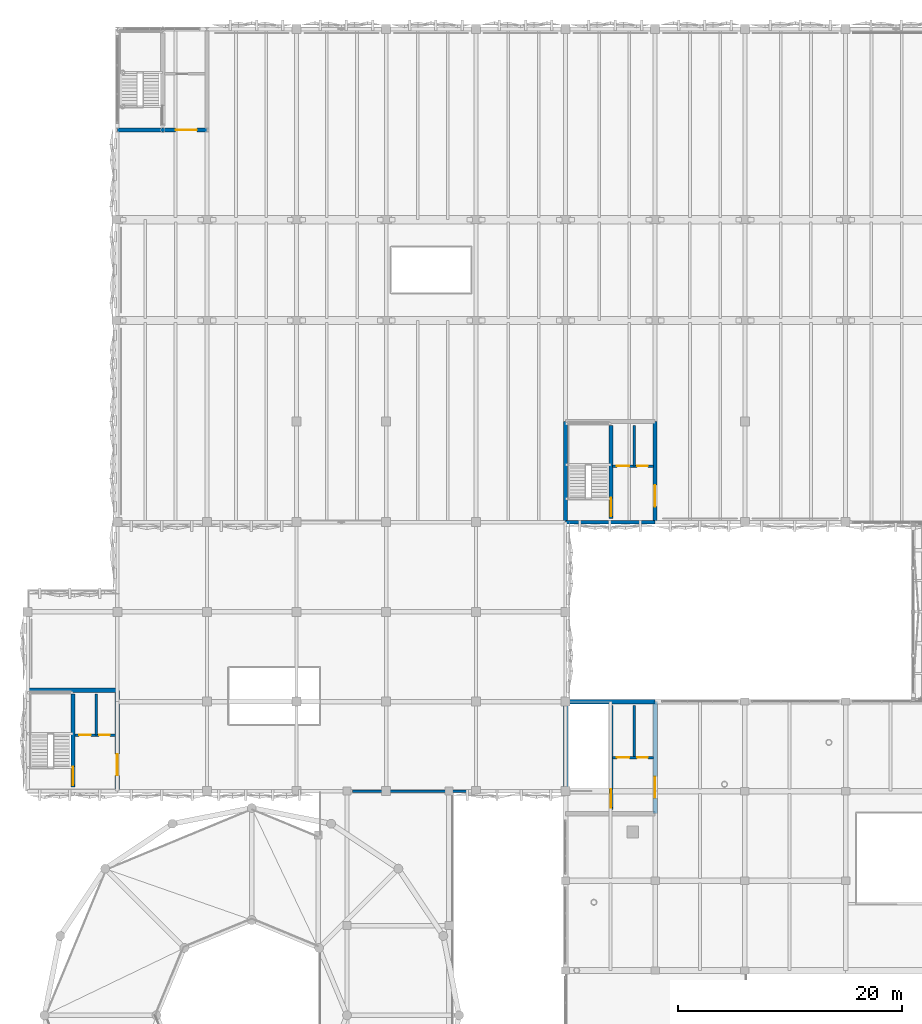
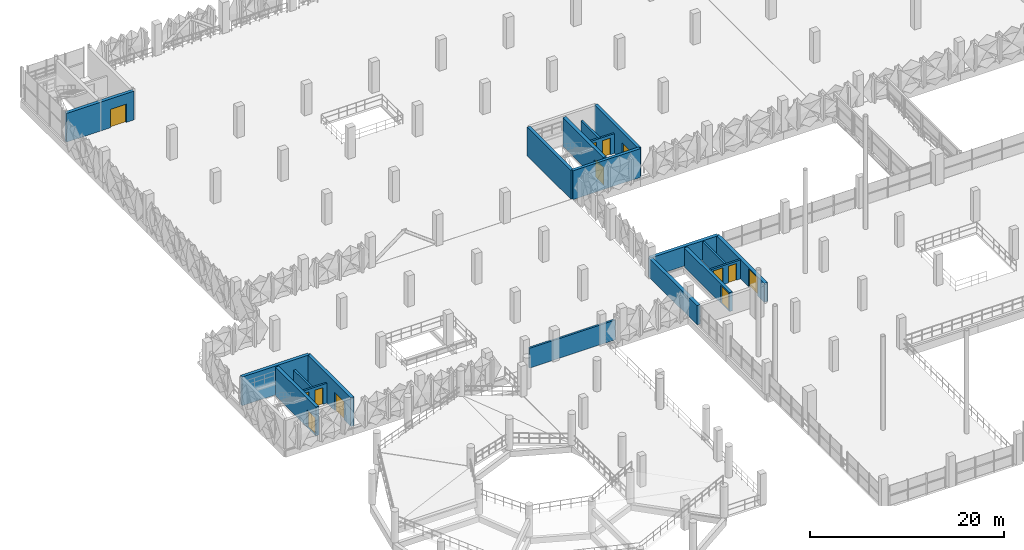
# One storey, part 74 of 123: 19 walls, 13 doors, 13 openings.
"""IFC4 building model written with IfcOpenShell, lengths in metres."""

from ifc_helpers import new_model, si_unit, derived_unit, direction, frame, frame_2d, origin, place, context, subcontext, project, spatial, rectangle, extrude, material, layer, layer_set, type_object, element, fill, save


model = new_model("IFC4")

# Units and contexts
model_context = context("Model", 3, precision=1e-05, world=origin(), true_north=direction((0.0, 1.0)))
body_context = subcontext(model_context, "Body", "Model", "MODEL_VIEW")
ifc_project = project(units=[si_unit("LENGTHUNIT", "METRE"), si_unit("AREAUNIT", "SQUARE_METRE"), si_unit("VOLUMEUNIT", "CUBIC_METRE"), si_unit("PLANEANGLEUNIT", "RADIAN"), si_unit("MASSUNIT", "GRAM", prefix="KILO"), si_unit("THERMODYNAMICTEMPERATUREUNIT", "KELVIN"), derived_unit("THERMALTRANSMITTANCEUNIT", [(si_unit("POWERUNIT", "WATT"), 1), (si_unit("AREAUNIT", "SQUARE_METRE"), -1), (si_unit("THERMODYNAMICTEMPERATUREUNIT", "KELVIN"), -1)])], contexts=[model_context])

# Site, building, storey
site_placement = place(None, origin())
site = spatial("IfcSite", under=ifc_project, at=site_placement, CompositionType="ELEMENT")
building_placement = place(site_placement, origin())
building = spatial("IfcBuilding", under=site, at=building_placement, Name="Haiyu Intermodal Mobility Hub", CompositionType="ELEMENT")
storey_placement = place(building_placement, frame((0.0, 0.0, 5.60009765625)))
storey = spatial("IfcBuildingStorey", under=building, at=storey_placement, Name="L01", CompositionType="ELEMENT", Elevation=5.60009765625)

# Wall
ifc_material_1 = material(Name="Autoclaved aerated concrete block A5.0", Category="concrete")
ifc_layer_1 = layer(ifc_material_1, 0.22998046875)
ifc_layer_set_1 = layer_set([ifc_layer_1], Name="Autoclaved aerated concrete block A5.0")
wall_type_1 = type_object("IfcWallType", Name="WAL-WI01", PredefinedType="PARTITIONING", material=ifc_layer_set_1)
wall_1_placement = place(storey_placement, frame((68.1298828125, 83.0, 0.0), z_axis=(0.0, 0.0, 1.0), x_axis=(0.0, 1.0, 0.0)))
element("IfcWall", 1, at=wall_1_placement, inside=storey, type_object=wall_type_1, Name="WAL-CORE-C1-LSH-L01", PredefinedType="PARTITIONING", context=body_context, shape_type="SweptSolid", body=[
    extrude(rectangle(XDim=4.64990234375, YDim=0.22998046875, at=frame_2d((2.324951171875, 0.0))), origin(), (0.0, 0.0, 1.0), 2.39990234375),
])

# Wall, openings, doors
wall_2_placement = place(storey_placement, frame((66.2099609375, 83.0, 0.0), z_axis=(0.0, 0.0, 1.0), x_axis=(1.0, 0.0, 0.0)))
wall_2 = element("IfcWall", 2, at=wall_2_placement, inside=storey, type_object=wall_type_1, Name="WAL-CORE-C1-LFT-L01", PredefinedType="PARTITIONING", context=body_context, shape_type="SweptSolid", body=[
    extrude(rectangle(XDim=3.630126953125, YDim=0.22998046875, at=frame_2d((1.81494140625, 0.0))), origin(), (0.0, 0.0, 1.0), 2.39990234375),
])
opening_1_placement = place(wall_2_placement, frame((0.3798828125, 0.0, 0.0)))
opening_1 = element("IfcOpeningElement", 3, at=opening_1_placement, cuts=wall_2, Name="Opening LD01", PredefinedType="OPENING", context=body_context, shape_type="SweptSolid", body=[
    extrude(rectangle(XDim=1.10009765625, YDim=2.14990234375, at=frame_2d((0.550048828125, 1.074951171875))), frame((0.0, 0.125, 0.0), z_axis=(0.0, -1.0, 0.0), x_axis=(1.0, 0.0, 0.0)), (0.0, 0.0, 1.0), 0.25),
])
opening_2_placement = place(wall_2_placement, frame((2.179931640625, 0.0, 0.0)))
opening_2 = element("IfcOpeningElement", 4, at=opening_2_placement, cuts=wall_2, Name="Opening DI07", PredefinedType="OPENING", context=body_context, shape_type="SweptSolid", body=[
    extrude(rectangle(XDim=0.949951171875, YDim=2.10009765625, at=frame_2d((0.47509765625, 1.050048828125))), frame((0.0, 0.125, 0.0), z_axis=(0.0, -1.0, 0.0), x_axis=(1.0, 0.0, 0.0)), (0.0, 0.0, 1.0), 0.25),
])
ifc_material_2 = material(Name="Steel Q355C", Category="steel")
door_type_1 = type_object("IfcDoorType", Name="DR-DI07", OperationType="NOTDEFINED", PredefinedType="DOOR", material=ifc_material_2)
door_1_placement = place(opening_2_placement, origin())
door_1 = element("IfcDoor", 5, at=door_1_placement, inside=storey, type_object=door_type_1, Name="Core C1 Accessible WC Door L01", OperationType="SINGLE_SWING_RIGHT", OverallHeight=2.10009765625, OverallWidth=0.949951171875, PredefinedType="DOOR", context=body_context, shape_type="SweptSolid", body=[
    extrude(rectangle(XDim=0.949951171875, YDim=2.10009765625, at=frame_2d((0.47509765625, 1.050048828125))), frame((0.0, 0.02490234375, 0.0), z_axis=(0.0, -1.0, 0.0), x_axis=(1.0, 0.0, 0.0)), (0.0, 0.0, 1.0), 0.050048828125),
])
fill(opening_2, door_1)
door_type_2 = type_object("IfcDoorType", Name="DR-LD01", OperationType="DOUBLE_DOOR_SLIDING", PredefinedType="DOOR", material=ifc_material_2)
door_2_placement = place(opening_1_placement, origin())
door_2 = element("IfcDoor", 6, at=door_2_placement, inside=storey, type_object=door_type_2, Name="Lift FL-01 Sliding Landing Door L01", OperationType="SLIDING_TO_LEFT", OverallHeight=2.14990234375, OverallWidth=1.10009765625, PredefinedType="DOOR", context=body_context, shape_type="SweptSolid", body=[
    extrude(rectangle(XDim=1.10009765625, YDim=2.14990234375, at=frame_2d((0.550048828125, 1.074951171875))), frame((0.0, 0.02490234375, 0.0), z_axis=(0.0, -1.0, 0.0), x_axis=(1.0, 0.0, 0.0)), (0.0, 0.0, 1.0), 0.050048828125),
])
fill(opening_1, door_2)

# Wall
wall_3_placement = place(storey_placement, frame((68.1298828125, 109.0, 0.0), z_axis=(0.0, 0.0, 1.0), x_axis=(0.0, 1.0, 0.0)))
element("IfcWall", 7, at=wall_3_placement, inside=storey, type_object=wall_type_1, Name="WAL-CORE-C5-LSH-L01", PredefinedType="PARTITIONING", context=body_context, shape_type="SweptSolid", body=[
    extrude(rectangle(XDim=3.64990234375, YDim=0.22998046875, at=frame_2d((1.824951171875, 0.0))), origin(), (0.0, 0.0, 1.0), 2.47998046875),
])

# Wall, openings, doors
wall_4_placement = place(storey_placement, frame((66.2099609375, 109.0, 0.0), z_axis=(0.0, 0.0, 1.0), x_axis=(1.0, 0.0, 0.0)))
wall_4 = element("IfcWall", 8, at=wall_4_placement, inside=storey, type_object=wall_type_1, Name="WAL-CORE-C5-LFT-L01", PredefinedType="PARTITIONING", context=body_context, shape_type="SweptSolid", body=[
    extrude(rectangle(XDim=3.630126953125, YDim=0.22998046875, at=frame_2d((1.81494140625, 0.0))), origin(), (0.0, 0.0, 1.0), 2.47998046875),
])
opening_3_placement = place(wall_4_placement, frame((0.3798828125, 0.0, 0.0)))
opening_3 = element("IfcOpeningElement", 9, at=opening_3_placement, cuts=wall_4, Name="Opening LD01", PredefinedType="OPENING", context=body_context, shape_type="SweptSolid", body=[
    extrude(rectangle(XDim=1.10009765625, YDim=2.14990234375, at=frame_2d((0.550048828125, 1.074951171875))), frame((0.0, 0.125, 0.0), z_axis=(0.0, -1.0, 0.0), x_axis=(1.0, 0.0, 0.0)), (0.0, 0.0, 1.0), 0.25),
])
opening_4_placement = place(wall_4_placement, frame((2.179931640625, 0.0, 0.0)))
opening_4 = element("IfcOpeningElement", 10, at=opening_4_placement, cuts=wall_4, Name="Opening DI07", PredefinedType="OPENING", context=body_context, shape_type="SweptSolid", body=[
    extrude(rectangle(XDim=0.949951171875, YDim=2.10009765625, at=frame_2d((0.47509765625, 1.050048828125))), frame((0.0, 0.125, 0.0), z_axis=(0.0, -1.0, 0.0), x_axis=(1.0, 0.0, 0.0)), (0.0, 0.0, 1.0), 0.25),
])
door_3_placement = place(opening_4_placement, origin())
door_3 = element("IfcDoor", 11, at=door_3_placement, inside=storey, type_object=door_type_1, Name="Core C5 Accessible WC Door L01", OperationType="SINGLE_SWING_RIGHT", OverallHeight=2.10009765625, OverallWidth=0.949951171875, PredefinedType="DOOR", context=body_context, shape_type="SweptSolid", body=[
    extrude(rectangle(XDim=0.949951171875, YDim=2.10009765625, at=frame_2d((0.47509765625, 1.050048828125))), frame((0.0, 0.02490234375, 0.0), z_axis=(0.0, -1.0, 0.0), x_axis=(1.0, 0.0, 0.0)), (0.0, 0.0, 1.0), 0.050048828125),
])
fill(opening_4, door_3)
door_4_placement = place(opening_3_placement, origin())
door_4 = element("IfcDoor", 12, at=door_4_placement, inside=storey, type_object=door_type_2, Name="Lift FL-02 Sliding Landing Door L01", OperationType="SLIDING_TO_LEFT", OverallHeight=2.14990234375, OverallWidth=1.10009765625, PredefinedType="DOOR", context=body_context, shape_type="SweptSolid", body=[
    extrude(rectangle(XDim=1.10009765625, YDim=2.14990234375, at=frame_2d((0.550048828125, 1.074951171875))), frame((0.0, 0.02490234375, 0.0), z_axis=(0.0, -1.0, 0.0), x_axis=(1.0, 0.0, 0.0)), (0.0, 0.0, 1.0), 0.050048828125),
])
fill(opening_3, door_4)

# Wall
wall_5_placement = place(storey_placement, frame((20.1298828125, 85.0, 0.0), z_axis=(0.0, 0.0, 1.0), x_axis=(0.0, 1.0, 0.0)))
element("IfcWall", 13, at=wall_5_placement, inside=storey, type_object=wall_type_1, Name="WAL-CORE-C7-LSH-L01", PredefinedType="PARTITIONING", context=body_context, shape_type="SweptSolid", body=[
    extrude(rectangle(XDim=3.64990234375, YDim=0.22998046875, at=frame_2d((1.824951171875, 0.0))), origin(), (0.0, 0.0, 1.0), 2.47998046875),
])

# Wall, openings, doors
wall_6_placement = place(storey_placement, frame((18.2099609375, 85.0, 0.0), z_axis=(0.0, 0.0, 1.0), x_axis=(1.0, 0.0, 0.0)))
wall_6 = element("IfcWall", 14, at=wall_6_placement, inside=storey, type_object=wall_type_1, Name="WAL-CORE-C7-LFT-L01", PredefinedType="PARTITIONING", context=body_context, shape_type="SweptSolid", body=[
    extrude(rectangle(XDim=3.630126953125, YDim=0.22998046875, at=frame_2d((1.81494140625, 0.0))), origin(), (0.0, 0.0, 1.0), 2.47998046875),
])
opening_5_placement = place(wall_6_placement, frame((0.3798828125, 0.0, 0.0)))
opening_5 = element("IfcOpeningElement", 15, at=opening_5_placement, cuts=wall_6, Name="Opening LD02", PredefinedType="OPENING", context=body_context, shape_type="SweptSolid", body=[
    extrude(rectangle(XDim=1.050048828125, YDim=2.14990234375, at=frame_2d((0.52490234375, 1.074951171875))), frame((0.0, 0.125, 0.0), z_axis=(0.0, -1.0, 0.0), x_axis=(1.0, 0.0, 0.0)), (0.0, 0.0, 1.0), 0.25),
])
opening_6_placement = place(wall_6_placement, frame((2.179931640625, 0.0, 0.0)))
opening_6 = element("IfcOpeningElement", 16, at=opening_6_placement, cuts=wall_6, Name="Opening DI07", PredefinedType="OPENING", context=body_context, shape_type="SweptSolid", body=[
    extrude(rectangle(XDim=0.949951171875, YDim=2.10009765625, at=frame_2d((0.47509765625, 1.050048828125))), frame((0.0, 0.125, 0.0), z_axis=(0.0, -1.0, 0.0), x_axis=(1.0, 0.0, 0.0)), (0.0, 0.0, 1.0), 0.25),
])
door_5_placement = place(opening_6_placement, origin())
door_5 = element("IfcDoor", 17, at=door_5_placement, inside=storey, type_object=door_type_1, Name="Core C7 Accessible WC Door L01", OperationType="SINGLE_SWING_RIGHT", OverallHeight=2.10009765625, OverallWidth=0.949951171875, PredefinedType="DOOR", context=body_context, shape_type="SweptSolid", body=[
    extrude(rectangle(XDim=0.949951171875, YDim=2.10009765625, at=frame_2d((0.47509765625, 1.050048828125))), frame((0.0, 0.02490234375, 0.0), z_axis=(0.0, -1.0, 0.0), x_axis=(1.0, 0.0, 0.0)), (0.0, 0.0, 1.0), 0.050048828125),
])
fill(opening_6, door_5)
door_type_3 = type_object("IfcDoorType", Name="DR-LD02", OperationType="DOUBLE_DOOR_SLIDING", PredefinedType="DOOR", material=ifc_material_2)
door_6_placement = place(opening_5_placement, origin())
door_6 = element("IfcDoor", 18, at=door_6_placement, inside=storey, type_object=door_type_3, Name="Lift PL-02 Sliding Landing Door L01", OperationType="SLIDING_TO_LEFT", OverallHeight=2.14990234375, OverallWidth=1.050048828125, PredefinedType="DOOR", context=body_context, shape_type="SweptSolid", body=[
    extrude(rectangle(XDim=1.050048828125, YDim=2.14990234375, at=frame_2d((0.52490234375, 1.074951171875))), frame((0.0, 0.02490234375, 0.0), z_axis=(0.0, -1.0, 0.0), x_axis=(1.0, 0.0, 0.0)), (0.0, 0.0, 1.0), 0.050048828125),
])
fill(opening_5, door_6)

# Wall
wall_7_placement = place(storey_placement, frame((43.0, 80.0, 0.0), z_axis=(0.0, 0.0, 1.0), x_axis=(1.0, 0.0, 0.0)))
element("IfcWall", 19, at=wall_7_placement, inside=storey, type_object=wall_type_1, Name="WAL-INT-0018", PredefinedType="PARTITIONING", context=body_context, shape_type="SweptSolid", body=[
    extrude(rectangle(XDim=10.199951171875, YDim=0.22998046875, at=frame_2d((5.10009765625, 0.0))), origin(), (0.0, 0.0, 1.0), 2.47998046875),
])

# Wall, opening, door
ifc_material_3 = material(Name="Concrete C40", Category="concrete")
ifc_layer_2 = layer(ifc_material_3, 0.39990234375)
ifc_layer_set_2 = layer_set([ifc_layer_2], Name="Concrete C40")
wall_type_2 = type_object("IfcWallType", Name="WAL-WS01", PredefinedType="SHEAR", material=ifc_layer_set_2)
wall_8_placement = place(storey_placement, frame((70.0, 78.0, 0.0), z_axis=(0.0, 0.0, 1.0), x_axis=(0.0, 1.0, 0.0)))
wall_8 = element("IfcWall", 20, at=wall_8_placement, inside=storey, type_object=wall_type_2, Name="WAL-CORE-C1-E-L01", PredefinedType="SHEAR", context=body_context, shape_type="SweptSolid", body=[
    extrude(rectangle(XDim=10.0, YDim=0.39990234375, at=frame_2d((5.0, 0.0))), origin(), (0.0, 0.0, 1.0), 2.39990234375),
])
opening_7_placement = place(wall_8_placement, frame((1.39990234375, 0.0, 0.0)))
opening_7 = element("IfcOpeningElement", 21, at=opening_7_placement, cuts=wall_8, Name="Opening DI01", PredefinedType="OPENING", context=body_context, shape_type="SweptSolid", body=[
    extrude(rectangle(XDim=1.89990234375, YDim=2.300048828125, at=frame_2d((0.949951171875, 1.14990234375))), frame((0.0, 0.2099609375, 0.0), z_axis=(0.0, -1.0, 0.0), x_axis=(1.0, 0.0, 0.0)), (0.0, 0.0, 1.0), 0.419921875),
])
door_type_4 = type_object("IfcDoorType", Name="DR-DI01", OperationType="DOUBLE_DOOR_SINGLE_SWING", PredefinedType="DOOR", material=ifc_material_2)
door_7_placement = place(opening_7_placement, origin())
door_7 = element("IfcDoor", 22, at=door_7_placement, inside=storey, type_object=door_type_4, Name="Core C1 Lobby Fire Door L01", OperationType="SINGLE_SWING_RIGHT", OverallHeight=2.300048828125, OverallWidth=1.89990234375, PredefinedType="DOOR", context=body_context, shape_type="SweptSolid", body=[
    extrude(rectangle(XDim=1.89990234375, YDim=2.300048828125, at=frame_2d((0.949951171875, 1.14990234375))), frame((0.0, 0.02490234375, 0.0), z_axis=(0.0, -1.0, 0.0), x_axis=(1.0, 0.0, 0.0)), (0.0, 0.0, 1.0), 0.050048828125),
])
fill(opening_7, door_7)

# Walls
wall_9_placement = place(storey_placement, frame((70.0, 88.0, 0.0), z_axis=(0.0, 0.0, 1.0), x_axis=(-1.0, 0.0, 0.0)))
element("IfcWall", 23, at=wall_9_placement, inside=storey, type_object=wall_type_2, Name="WAL-CORE-C1-N-L01", PredefinedType="SHEAR", context=body_context, shape_type="SweptSolid", body=[
    extrude(rectangle(XDim=8.0, YDim=0.39990234375, at=frame_2d((4.0, 0.0))), origin(), (0.0, 0.0, 1.0), 2.39990234375),
])
wall_10_placement = place(storey_placement, frame((62.0, 88.0, 0.0), z_axis=(0.0, 0.0, 1.0), x_axis=(0.0, -1.0, 0.0)))
element("IfcWall", 24, at=wall_10_placement, inside=storey, type_object=wall_type_2, Name="WAL-CORE-C1-W-L01", PredefinedType="SHEAR", context=body_context, shape_type="SweptSolid", body=[
    extrude(rectangle(XDim=10.0, YDim=0.39990234375, at=frame_2d((5.0, 0.0))), origin(), (0.0, 0.0, 1.0), 2.39990234375),
])
ifc_layer_3 = layer(ifc_material_3, 0.35009765625)
ifc_layer_set_3 = layer_set([ifc_layer_3], Name="Concrete C40")
wall_type_3 = type_object("IfcWallType", Name="WAL-WS02", PredefinedType="SHEAR", material=ifc_layer_set_3)
wall_11_placement = place(storey_placement, frame((62.0, 104.0, 0.0), z_axis=(0.0, 0.0, 1.0), x_axis=(1.0, 0.0, 0.0)))
element("IfcWall", 25, at=wall_11_placement, inside=storey, type_object=wall_type_3, Name="WAL-CORE-C5-S-L01", PredefinedType="SHEAR", context=body_context, shape_type="SweptSolid", body=[
    extrude(rectangle(XDim=8.0, YDim=0.35009765625, at=frame_2d((4.0, 0.0))), origin(), (0.0, 0.0, 1.0), 3.619873046875),
])

# Wall, opening, door
wall_12_placement = place(storey_placement, frame((70.0, 104.0, 0.0), z_axis=(0.0, 0.0, 1.0), x_axis=(0.0, 1.0, 0.0)))
wall_12 = element("IfcWall", 26, at=wall_12_placement, inside=storey, type_object=wall_type_3, Name="WAL-CORE-C5-E-L01", PredefinedType="SHEAR", context=body_context, shape_type="SweptSolid", body=[
    extrude(rectangle(XDim=9.0, YDim=0.35009765625, at=frame_2d((4.5, 0.0))), origin(), (0.0, 0.0, 1.0), 3.619873046875),
])
opening_8_placement = place(wall_12_placement, frame((1.39990234375, 0.0, 0.0)))
opening_8 = element("IfcOpeningElement", 27, at=opening_8_placement, cuts=wall_12, Name="Opening DI01", PredefinedType="OPENING", context=body_context, shape_type="SweptSolid", body=[
    extrude(rectangle(XDim=1.89990234375, YDim=2.300048828125, at=frame_2d((0.949951171875, 1.14990234375))), frame((0.0, 0.18505859375, 0.0), z_axis=(0.0, -1.0, 0.0), x_axis=(1.0, 0.0, 0.0)), (0.0, 0.0, 1.0), 0.3701171875),
])
door_8_placement = place(opening_8_placement, origin())
door_8 = element("IfcDoor", 28, at=door_8_placement, inside=storey, type_object=door_type_4, Name="Core C5 Lobby Fire Door L01", OperationType="SINGLE_SWING_RIGHT", OverallHeight=2.300048828125, OverallWidth=1.89990234375, PredefinedType="DOOR", context=body_context, shape_type="SweptSolid", body=[
    extrude(rectangle(XDim=1.89990234375, YDim=2.300048828125, at=frame_2d((0.949951171875, 1.14990234375))), frame((0.0, 0.02490234375, 0.0), z_axis=(0.0, -1.0, 0.0), x_axis=(1.0, 0.0, 0.0)), (0.0, 0.0, 1.0), 0.050048828125),
])
fill(opening_8, door_8)

# Wall
wall_13_placement = place(storey_placement, frame((62.0, 113.0, 0.0), z_axis=(0.0, 0.0, 1.0), x_axis=(0.0, -1.0, 0.0)))
element("IfcWall", 29, at=wall_13_placement, inside=storey, type_object=wall_type_3, Name="WAL-CORE-C5-W-L01", PredefinedType="SHEAR", context=body_context, shape_type="SweptSolid", body=[
    extrude(rectangle(XDim=9.0, YDim=0.35009765625, at=frame_2d((4.5, 0.0))), origin(), (0.0, 0.0, 1.0), 3.619873046875),
])

# Wall, opening, door
ifc_layer_4 = layer(ifc_material_3, 0.3798828125)
ifc_layer_set_4 = layer_set([ifc_layer_4], Name="Concrete C40")
wall_type_4 = type_object("IfcWallType", Name="WAL-WS03", PredefinedType="SHEAR", material=ifc_layer_set_4)
wall_14_placement = place(storey_placement, frame((66.050048828125, 78.35009765625, 0.0), z_axis=(0.0, 0.0, 1.0), x_axis=(0.0, 1.0, 0.0)))
wall_14 = element("IfcWall", 30, at=wall_14_placement, inside=storey, type_object=wall_type_4, Name="WAL-CORE-C1-MID-L01", PredefinedType="SHEAR", context=body_context, shape_type="SweptSolid", body=[
    extrude(rectangle(XDim=9.2998046875, YDim=0.3798828125, at=frame_2d((4.64990234375, 0.0))), origin(), (0.0, 0.0, 1.0), 2.39990234375),
])
opening_9_placement = place(wall_14_placement, frame((0.179931640625, 0.0, 0.0)))
opening_9 = element("IfcOpeningElement", 31, at=opening_9_placement, cuts=wall_14, Name="Opening DI02", PredefinedType="OPENING", context=body_context, shape_type="SweptSolid", body=[
    extrude(rectangle(XDim=1.64990234375, YDim=2.199951171875, at=frame_2d((0.824951171875, 1.10009765625))), frame((0.0, 0.199951171875, 0.0), z_axis=(0.0, -1.0, 0.0), x_axis=(1.0, 0.0, 0.0)), (0.0, 0.0, 1.0), 0.39990234375),
])
door_type_5 = type_object("IfcDoorType", Name="DR-DI02", OperationType="DOUBLE_DOOR_SINGLE_SWING", PredefinedType="DOOR", material=ifc_material_2)
door_9_placement = place(opening_9_placement, origin())
door_9 = element("IfcDoor", 32, at=door_9_placement, inside=storey, type_object=door_type_5, Name="Stair ST01 Fire Door L01", OperationType="SINGLE_SWING_RIGHT", OverallHeight=2.199951171875, OverallWidth=1.64990234375, PredefinedType="DOOR", context=body_context, shape_type="SweptSolid", body=[
    extrude(rectangle(XDim=1.64990234375, YDim=2.199951171875, at=frame_2d((0.824951171875, 1.10009765625))), frame((0.0, 0.02490234375, 0.0), z_axis=(0.0, -1.0, 0.0), x_axis=(1.0, 0.0, 0.0)), (0.0, 0.0, 1.0), 0.050048828125),
])
fill(opening_9, door_9)

wall_15_placement = place(storey_placement, frame((22.0, 139.0, 0.0), z_axis=(0.0, 0.0, 1.0), x_axis=(1.0, 0.0, 0.0)))
wall_15 = element("IfcWall", 33, at=wall_15_placement, inside=storey, type_object=wall_type_4, Name="WAL-CORE-C3-S-L01", PredefinedType="SHEAR", context=body_context, shape_type="SweptSolid", body=[
    extrude(rectangle(XDim=8.0, YDim=0.3798828125, at=frame_2d((4.0, 0.0))), origin(), (0.0, 0.0, 1.0), 3.619873046875),
])
opening_10_placement = place(wall_15_placement, frame((5.199951171875, 0.0, 0.0)))
opening_10 = element("IfcOpeningElement", 34, at=opening_10_placement, cuts=wall_15, Name="Opening DI01", PredefinedType="OPENING", context=body_context, shape_type="SweptSolid", body=[
    extrude(rectangle(XDim=1.89990234375, YDim=2.300048828125, at=frame_2d((0.949951171875, 1.14990234375))), frame((0.0, 0.199951171875, 0.0), z_axis=(0.0, -1.0, 0.0), x_axis=(1.0, 0.0, 0.0)), (0.0, 0.0, 1.0), 0.39990234375),
])
door_10_placement = place(opening_10_placement, origin())
door_10 = element("IfcDoor", 35, at=door_10_placement, inside=storey, type_object=door_type_4, Name="Core C3 Lobby Fire Door L01", OperationType="SINGLE_SWING_RIGHT", OverallHeight=2.300048828125, OverallWidth=1.89990234375, PredefinedType="DOOR", context=body_context, shape_type="SweptSolid", body=[
    extrude(rectangle(XDim=1.89990234375, YDim=2.300048828125, at=frame_2d((0.949951171875, 1.14990234375))), frame((0.0, 0.02490234375, 0.0), z_axis=(0.0, -1.0, 0.0), x_axis=(1.0, 0.0, 0.0)), (0.0, 0.0, 1.0), 0.050048828125),
])
fill(opening_10, door_10)

wall_16_placement = place(storey_placement, frame((66.050048828125, 104.35009765625, 0.0), z_axis=(0.0, 0.0, 1.0), x_axis=(0.0, 1.0, 0.0)))
wall_16 = element("IfcWall", 36, at=wall_16_placement, inside=storey, type_object=wall_type_4, Name="WAL-CORE-C5-MID-L01", PredefinedType="SHEAR", context=body_context, shape_type="SweptSolid", body=[
    extrude(rectangle(XDim=8.2998046875, YDim=0.3798828125, at=frame_2d((4.14990234375, 0.0))), origin(), (0.0, 0.0, 1.0), 3.619873046875),
])
opening_11_placement = place(wall_16_placement, frame((0.179931640625, 0.0, 0.0)))
opening_11 = element("IfcOpeningElement", 37, at=opening_11_placement, cuts=wall_16, Name="Opening DI02", PredefinedType="OPENING", context=body_context, shape_type="SweptSolid", body=[
    extrude(rectangle(XDim=1.64990234375, YDim=2.199951171875, at=frame_2d((0.824951171875, 1.10009765625))), frame((0.0, 0.199951171875, 0.0), z_axis=(0.0, -1.0, 0.0), x_axis=(1.0, 0.0, 0.0)), (0.0, 0.0, 1.0), 0.39990234375),
])
door_11_placement = place(opening_11_placement, origin())
door_11 = element("IfcDoor", 38, at=door_11_placement, inside=storey, type_object=door_type_5, Name="Stair ST01 Fire Door L01", OperationType="SINGLE_SWING_RIGHT", OverallHeight=2.199951171875, OverallWidth=1.64990234375, PredefinedType="DOOR", context=body_context, shape_type="SweptSolid", body=[
    extrude(rectangle(XDim=1.64990234375, YDim=2.199951171875, at=frame_2d((0.824951171875, 1.10009765625))), frame((0.0, 0.02490234375, 0.0), z_axis=(0.0, -1.0, 0.0), x_axis=(1.0, 0.0, 0.0)), (0.0, 0.0, 1.0), 0.050048828125),
])
fill(opening_11, door_11)

wall_17_placement = place(storey_placement, frame((22.0, 80.0, 0.0), z_axis=(0.0, 0.0, 1.0), x_axis=(0.0, 1.0, 0.0)))
wall_17 = element("IfcWall", 39, at=wall_17_placement, inside=storey, type_object=wall_type_4, Name="WAL-CORE-C7-E-L01", PredefinedType="SHEAR", context=body_context, shape_type="SweptSolid", body=[
    extrude(rectangle(XDim=9.0, YDim=0.3798828125, at=frame_2d((4.5, 0.0))), origin(), (0.0, 0.0, 1.0), 3.619873046875),
])
opening_12_placement = place(wall_17_placement, frame((1.39990234375, 0.0, 0.0)))
opening_12 = element("IfcOpeningElement", 40, at=opening_12_placement, cuts=wall_17, Name="Opening DI01", PredefinedType="OPENING", context=body_context, shape_type="SweptSolid", body=[
    extrude(rectangle(XDim=1.89990234375, YDim=2.300048828125, at=frame_2d((0.949951171875, 1.14990234375))), frame((0.0, 0.199951171875, 0.0), z_axis=(0.0, -1.0, 0.0), x_axis=(1.0, 0.0, 0.0)), (0.0, 0.0, 1.0), 0.39990234375),
])
door_12_placement = place(opening_12_placement, origin())
door_12 = element("IfcDoor", 41, at=door_12_placement, inside=storey, type_object=door_type_4, Name="Core C7 Lobby Fire Door L01", OperationType="SINGLE_SWING_RIGHT", OverallHeight=2.300048828125, OverallWidth=1.89990234375, PredefinedType="DOOR", context=body_context, shape_type="SweptSolid", body=[
    extrude(rectangle(XDim=1.89990234375, YDim=2.300048828125, at=frame_2d((0.949951171875, 1.14990234375))), frame((0.0, 0.02490234375, 0.0), z_axis=(0.0, -1.0, 0.0), x_axis=(1.0, 0.0, 0.0)), (0.0, 0.0, 1.0), 0.050048828125),
])
fill(opening_12, door_12)

# Wall
wall_18_placement = place(storey_placement, frame((22.0, 89.0, 0.0), z_axis=(0.0, 0.0, 1.0), x_axis=(-1.0, 0.0, 0.0)))
element("IfcWall", 42, at=wall_18_placement, inside=storey, type_object=wall_type_4, Name="WAL-CORE-C7-N-L01", PredefinedType="SHEAR", context=body_context, shape_type="SweptSolid", body=[
    extrude(rectangle(XDim=8.0, YDim=0.3798828125, at=frame_2d((4.0, 0.0))), origin(), (0.0, 0.0, 1.0), 3.619873046875),
])

# Wall, opening, door
wall_19_placement = place(storey_placement, frame((18.050048828125, 80.35009765625, 0.0), z_axis=(0.0, 0.0, 1.0), x_axis=(0.0, 1.0, 0.0)))
wall_19 = element("IfcWall", 43, at=wall_19_placement, inside=storey, type_object=wall_type_4, Name="WAL-CORE-C7-MID-L01", PredefinedType="SHEAR", context=body_context, shape_type="SweptSolid", body=[
    extrude(rectangle(XDim=8.2998046875, YDim=0.3798828125, at=frame_2d((4.14990234375, 0.0))), origin(), (0.0, 0.0, 1.0), 3.619873046875),
])
opening_13_placement = place(wall_19_placement, frame((0.179931640625, 0.0, 0.0)))
opening_13 = element("IfcOpeningElement", 44, at=opening_13_placement, cuts=wall_19, Name="Opening DI02", PredefinedType="OPENING", context=body_context, shape_type="SweptSolid", body=[
    extrude(rectangle(XDim=1.64990234375, YDim=2.199951171875, at=frame_2d((0.824951171875, 1.10009765625))), frame((0.0, 0.199951171875, 0.0), z_axis=(0.0, -1.0, 0.0), x_axis=(1.0, 0.0, 0.0)), (0.0, 0.0, 1.0), 0.39990234375),
])
door_13_placement = place(opening_13_placement, origin())
door_13 = element("IfcDoor", 45, at=door_13_placement, inside=storey, type_object=door_type_5, Name="Stair ST02 Fire Door L01", OperationType="SINGLE_SWING_RIGHT", OverallHeight=2.199951171875, OverallWidth=1.64990234375, PredefinedType="DOOR", context=body_context, shape_type="SweptSolid", body=[
    extrude(rectangle(XDim=1.64990234375, YDim=2.199951171875, at=frame_2d((0.824951171875, 1.10009765625))), frame((0.0, 0.02490234375, 0.0), z_axis=(0.0, -1.0, 0.0), x_axis=(1.0, 0.0, 0.0)), (0.0, 0.0, 1.0), 0.050048828125),
])
fill(opening_13, door_13)

save(model, "model.ifc")
